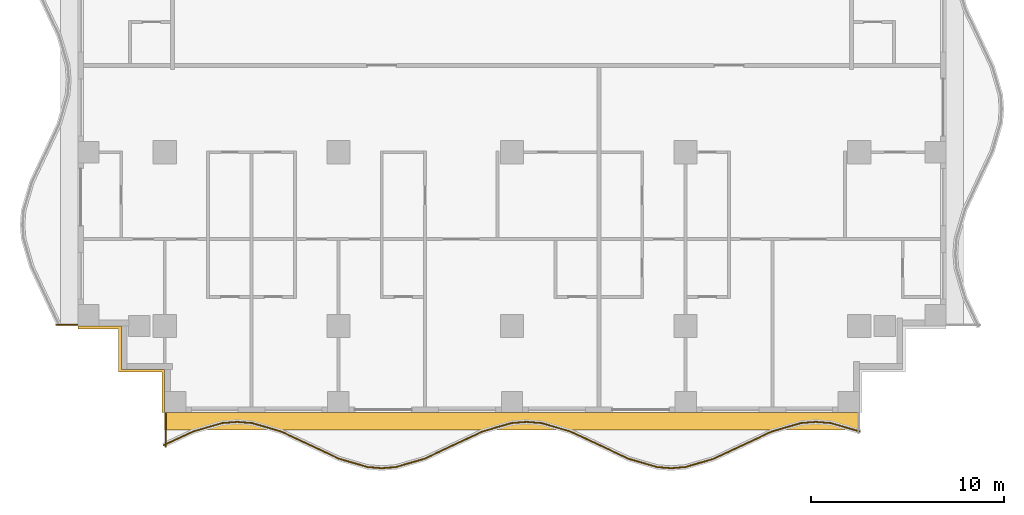
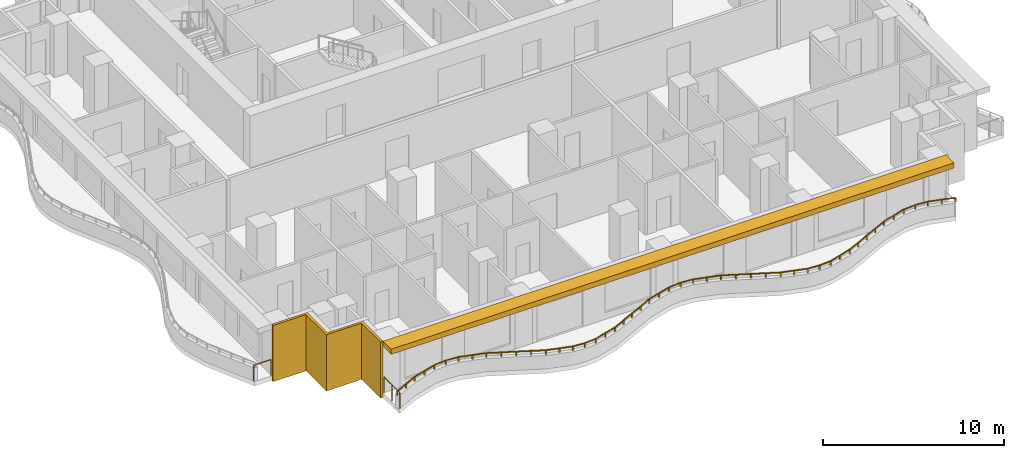
# One storey, part 7 of 10: 3 railings, 2 shading devices.
"""IFC4 building model written with IfcOpenShell, lengths in metres."""

from ifc_helpers import new_model, si_unit, direction, frame, origin, origin_2d, place, context, subcontext, project, spatial, polyline, rectangle, outline, extrude, material, layer, layer_set, type_object, element, save


model = new_model("IFC4")

# Units and contexts
model_context = context("Model", 3, precision=1e-05, world=origin(), true_north=direction((0.0, 1.0)))
body_context = subcontext(model_context, "Body", "Model", "MODEL_VIEW")
ifc_project = project(units=[si_unit("LENGTHUNIT", "METRE"), si_unit("AREAUNIT", "SQUARE_METRE"), si_unit("VOLUMEUNIT", "CUBIC_METRE"), si_unit("PLANEANGLEUNIT", "RADIAN"), si_unit("MASSUNIT", "GRAM", prefix="KILO")], contexts=[model_context])

# Site, building, storey
site_placement = place(None, origin())
site = spatial("IfcSite", under=ifc_project, at=site_placement, CompositionType="ELEMENT")
building_placement = place(site_placement, origin())
building = spatial("IfcBuilding", under=site, at=building_placement, Name="Orbiselva Terraces", CompositionType="ELEMENT")
storey_placement = place(building_placement, frame((0.0, 0.0, 159.2)))
storey = spatial("IfcBuildingStorey", under=building, at=storey_placement, Name="L40", CompositionType="ELEMENT", Elevation=159.2)

# Railings
ifc_material_1 = material(Name="Bonded two-ply safety glass balustrade, stainless steel posts", Category="steel")
railing_type_1 = type_object("IfcRailingType", Name="ENV-BALUSTRADE-1200", PredefinedType="BALUSTRADE", material=ifc_material_1)
railing_1_placement = place(storey_placement, frame((-18.053191, -19.686882, 0.9)))
element("IfcRailing", 1, at=railing_1_placement, inside=storey, type_object=railing_type_1, Name="Balcony balustrade L40 S", PredefinedType="BALUSTRADE", context=body_context, shape_type="SweptSolid", body=[
    extrude(outline(polyline([(0.028868, 0.0), (0.014434, 0.025), (-0.014434, 0.025), (-0.028868, 0.0), (-0.014434, -0.025), (0.014434, -0.025), (0.028868, 0.0)])), frame((0.0, 0.0, 0.275), z_axis=(0.904944157382, 0.425530342069, 0.0), x_axis=(-0.425530342069, 0.904944157382, 0.0)), (0.0, 0.0, 1.0), 1.667376),
    extrude(outline(polyline([(0.028868, 0.0), (0.014434, 0.025), (-0.014434, 0.025), (-0.028868, 0.0), (-0.014434, -0.025), (0.014434, -0.025), (0.028868, 0.0)])), frame((1.508882, 0.709519, 0.275), z_axis=(0.960270491427, 0.279070928786, 0.0), x_axis=(-0.279070928786, 0.960270491427, 0.0)), (0.0, 0.0, 1.0), 1.584712),
    extrude(outline(polyline([(0.028868, 0.0), (0.014434, 0.025), (-0.014434, 0.025), (-0.028868, 0.0), (-0.014434, -0.025), (0.014434, -0.025), (0.028868, 0.0)])), frame((3.030634, 1.151766, 0.275), z_axis=(0.996947796737, 0.078071061106, 0.0), x_axis=(-0.078071061106, 0.996947796737, 0.0)), (0.0, 0.0, 1.0), 0.774922),
    extrude(outline(polyline([(0.028868, 0.0), (0.014434, 0.025), (-0.014434, 0.025), (-0.028868, 0.0), (-0.014434, -0.025), (0.014434, -0.025), (0.028868, 0.0)])), frame((3.803191, 1.212265, 0.275), z_axis=(0.996947796737, -0.078071061106, 0.0), x_axis=(0.078071061106, 0.996947796737, 0.0)), (0.0, 0.0, 1.0), 0.774922),
    extrude(outline(polyline([(0.028868, 0.0), (0.014434, 0.025), (-0.014434, 0.025), (-0.028868, 0.0), (-0.014434, -0.025), (0.014434, -0.025), (0.028868, 0.0)])), frame((4.575748, 1.151766, 0.275), z_axis=(0.960270491427, -0.279070928786, 0.0), x_axis=(0.279070928786, 0.960270491427, 0.0)), (0.0, 0.0, 1.0), 1.584712),
    extrude(outline(polyline([(0.028868, 0.0), (0.014434, 0.025), (-0.014434, 0.025), (-0.028868, 0.0), (-0.014434, -0.025), (0.014434, -0.025), (0.028868, 0.0)])), frame((6.0975, 0.709519, 0.275), z_axis=(0.904944157382, -0.425530342069, 0.0), x_axis=(0.425530342069, 0.904944157382, 0.0)), (0.0, 0.0, 1.0), 1.667376),
    extrude(outline(polyline([(0.028868, 0.0), (0.014434, 0.025), (-0.014434, 0.025), (-0.028868, 0.0), (-0.014434, -0.025), (0.014434, -0.025), (0.028868, 0.0)])), frame((7.606382, 0.0, 0.275), z_axis=(0.904944359461, -0.425529912322, 0.0), x_axis=(0.425529912322, 0.904944359461, 0.0)), (0.0, 0.0, 1.0), 1.647746),
    extrude(outline(polyline([(0.028868, 0.0), (0.014434, 0.025), (-0.014434, 0.025), (-0.028868, 0.0), (-0.014434, -0.025), (0.014434, -0.025), (0.028868, 0.0)])), frame((9.0975, -0.701165, 0.275), z_axis=(0.960270317007, -0.279071528957, 0.0), x_axis=(0.279071528957, 0.960270317007, 0.0)), (0.0, 0.0, 1.0), 1.539408),
    extrude(outline(polyline([(0.028868, 0.0), (0.014434, 0.025), (-0.014434, 0.025), (-0.028868, 0.0), (-0.014434, -0.025), (0.014434, -0.025), (0.028868, 0.0)])), frame((10.575748, -1.13077, 0.275), z_axis=(0.996947916106, -0.078069536776, 0.0), x_axis=(0.078069536776, 0.996947916106, 0.0)), (0.0, 0.0, 1.0), 0.72967),
    extrude(outline(polyline([(0.028868, 0.0), (0.014434, 0.025), (-0.014434, 0.025), (-0.028868, 0.0), (-0.014434, -0.025), (0.014434, -0.025), (0.028868, 0.0)])), frame((11.303191, -1.187735, 0.275), z_axis=(0.996947916106, 0.078069536776, 0.0), x_axis=(-0.078069536776, 0.996947916106, 0.0)), (0.0, 0.0, 1.0), 0.72967),
    extrude(outline(polyline([(0.028868, 0.0), (0.014434, 0.025), (-0.014434, 0.025), (-0.028868, 0.0), (-0.014434, -0.025), (0.014434, -0.025), (0.028868, 0.0)])), frame((12.030634, -1.13077, 0.275), z_axis=(0.960270317007, 0.279071528957, 0.0), x_axis=(-0.279071528957, 0.960270317007, 0.0)), (0.0, 0.0, 1.0), 1.539408),
    extrude(outline(polyline([(0.028868, 0.0), (0.014434, 0.025), (-0.014434, 0.025), (-0.028868, 0.0), (-0.014434, -0.025), (0.014434, -0.025), (0.028868, 0.0)])), frame((13.508882, -0.701165, 0.275), z_axis=(0.904944359461, 0.425529912322, 0.0), x_axis=(-0.425529912322, 0.904944359461, 0.0)), (0.0, 0.0, 1.0), 1.647746),
    extrude(outline(polyline([(0.028868, 0.0), (0.014434, 0.025), (-0.014434, 0.025), (-0.028868, 0.0), (-0.014434, -0.025), (0.014434, -0.025), (0.028868, 0.0)])), frame((15.0, 0.0, 0.275), z_axis=(0.904944157382, 0.425530342069, 0.0), x_axis=(-0.425530342069, 0.904944157382, 0.0)), (0.0, 0.0, 1.0), 1.667376),
    extrude(outline(polyline([(0.028868, 0.0), (0.014434, 0.025), (-0.014434, 0.025), (-0.028868, 0.0), (-0.014434, -0.025), (0.014434, -0.025), (0.028868, 0.0)])), frame((16.508882, 0.709519, 0.275), z_axis=(0.960270491427, 0.279070928786, 0.0), x_axis=(-0.279070928786, 0.960270491427, 0.0)), (0.0, 0.0, 1.0), 1.584712),
    extrude(outline(polyline([(0.028868, 0.0), (0.014434, 0.025), (-0.014434, 0.025), (-0.028868, 0.0), (-0.014434, -0.025), (0.014434, -0.025), (0.028868, 0.0)])), frame((18.030634, 1.151766, 0.275), z_axis=(0.996947796737, 0.078071061106, 0.0), x_axis=(-0.078071061106, 0.996947796737, 0.0)), (0.0, 0.0, 1.0), 0.774922),
    extrude(outline(polyline([(0.028868, 0.0), (0.014434, 0.025), (-0.014434, 0.025), (-0.028868, 0.0), (-0.014434, -0.025), (0.014434, -0.025), (0.028868, 0.0)])), frame((18.803191, 1.212265, 0.275), z_axis=(0.996947796737, -0.078071061106, 0.0), x_axis=(0.078071061106, 0.996947796737, 0.0)), (0.0, 0.0, 1.0), 0.774922),
    extrude(outline(polyline([(0.028868, 0.0), (0.014434, 0.025), (-0.014434, 0.025), (-0.028868, 0.0), (-0.014434, -0.025), (0.014434, -0.025), (0.028868, 0.0)])), frame((19.575748, 1.151766, 0.275), z_axis=(0.960270491427, -0.279070928786, 0.0), x_axis=(0.279070928786, 0.960270491427, 0.0)), (0.0, 0.0, 1.0), 1.584712),
    extrude(outline(polyline([(0.028868, 0.0), (0.014434, 0.025), (-0.014434, 0.025), (-0.028868, 0.0), (-0.014434, -0.025), (0.014434, -0.025), (0.028868, 0.0)])), frame((21.0975, 0.709519, 0.275), z_axis=(0.904944157382, -0.425530342069, 0.0), x_axis=(0.425530342069, 0.904944157382, 0.0)), (0.0, 0.0, 1.0), 1.667376),
    extrude(outline(polyline([(0.028868, 0.0), (0.014434, 0.025), (-0.014434, 0.025), (-0.028868, 0.0), (-0.014434, -0.025), (0.014434, -0.025), (0.028868, 0.0)])), frame((22.606382, 0.0, 0.275), z_axis=(0.904944359461, -0.425529912322, 0.0), x_axis=(0.425529912322, 0.904944359461, 0.0)), (0.0, 0.0, 1.0), 1.647746),
    extrude(outline(polyline([(0.028868, 0.0), (0.014434, 0.025), (-0.014434, 0.025), (-0.028868, 0.0), (-0.014434, -0.025), (0.014434, -0.025), (0.028868, 0.0)])), frame((24.0975, -0.701165, 0.275), z_axis=(0.960270317007, -0.279071528957, 0.0), x_axis=(0.279071528957, 0.960270317007, 0.0)), (0.0, 0.0, 1.0), 1.539408),
    extrude(outline(polyline([(0.028868, 0.0), (0.014434, 0.025), (-0.014434, 0.025), (-0.028868, 0.0), (-0.014434, -0.025), (0.014434, -0.025), (0.028868, 0.0)])), frame((25.575748, -1.13077, 0.275), z_axis=(0.996947916106, -0.078069536776, 0.0), x_axis=(0.078069536776, 0.996947916106, 0.0)), (0.0, 0.0, 1.0), 0.72967),
    extrude(outline(polyline([(0.028868, 0.0), (0.014434, 0.025), (-0.014434, 0.025), (-0.028868, 0.0), (-0.014434, -0.025), (0.014434, -0.025), (0.028868, 0.0)])), frame((26.303191, -1.187735, 0.275), z_axis=(0.996947916106, 0.078069536776, 0.0), x_axis=(-0.078069536776, 0.996947916106, 0.0)), (0.0, 0.0, 1.0), 0.72967),
    extrude(outline(polyline([(0.028868, 0.0), (0.014434, 0.025), (-0.014434, 0.025), (-0.028868, 0.0), (-0.014434, -0.025), (0.014434, -0.025), (0.028868, 0.0)])), frame((27.030634, -1.13077, 0.275), z_axis=(0.960270317007, 0.279071528957, 0.0), x_axis=(-0.279071528957, 0.960270317007, 0.0)), (0.0, 0.0, 1.0), 1.539408),
    extrude(outline(polyline([(0.028868, 0.0), (0.014434, 0.025), (-0.014434, 0.025), (-0.028868, 0.0), (-0.014434, -0.025), (0.014434, -0.025), (0.028868, 0.0)])), frame((28.508882, -0.701165, 0.275), z_axis=(0.904944359461, 0.425529912322, 0.0), x_axis=(-0.425529912322, 0.904944359461, 0.0)), (0.0, 0.0, 1.0), 1.647746),
    extrude(outline(polyline([(0.028868, 0.0), (0.014434, 0.025), (-0.014434, 0.025), (-0.028868, 0.0), (-0.014434, -0.025), (0.014434, -0.025), (0.028868, 0.0)])), frame((30.0, 0.0, 0.275), z_axis=(0.904944157382, 0.425530342069, 0.0), x_axis=(-0.425530342069, 0.904944157382, 0.0)), (0.0, 0.0, 1.0), 1.667376),
    extrude(outline(polyline([(0.028868, 0.0), (0.014434, 0.025), (-0.014434, 0.025), (-0.028868, 0.0), (-0.014434, -0.025), (0.014434, -0.025), (0.028868, 0.0)])), frame((31.508882, 0.709519, 0.275), z_axis=(0.960270491427, 0.279070928786, 0.0), x_axis=(-0.279070928786, 0.960270491427, 0.0)), (0.0, 0.0, 1.0), 1.584712),
    extrude(outline(polyline([(0.028868, 0.0), (0.014434, 0.025), (-0.014434, 0.025), (-0.028868, 0.0), (-0.014434, -0.025), (0.014434, -0.025), (0.028868, 0.0)])), frame((33.030634, 1.151766, 0.275), z_axis=(0.996947796737, 0.078071061106, 0.0), x_axis=(-0.078071061106, 0.996947796737, 0.0)), (0.0, 0.0, 1.0), 0.774922),
    extrude(outline(polyline([(0.028868, 0.0), (0.014434, 0.025), (-0.014434, 0.025), (-0.028868, 0.0), (-0.014434, -0.025), (0.014434, -0.025), (0.028868, 0.0)])), frame((33.803191, 1.212265, 0.275), z_axis=(0.996947796737, -0.078071061106, 0.0), x_axis=(0.078071061106, 0.996947796737, 0.0)), (0.0, 0.0, 1.0), 0.774922),
    extrude(outline(polyline([(0.028868, 0.0), (0.014434, 0.025), (-0.014434, 0.025), (-0.028868, 0.0), (-0.014434, -0.025), (0.014434, -0.025), (0.028868, 0.0)])), frame((34.575748, 1.151766, 0.275), z_axis=(0.96027048033, -0.279070966973, 0.0), x_axis=(0.279070966973, 0.96027048033, 0.0)), (0.0, 0.0, 1.0), 1.574897),
    extrude(rectangle(XDim=0.05, YDim=0.05, at=origin_2d()), origin(), (0.0, 0.0, 1.0), 0.25),
    extrude(rectangle(XDim=0.05, YDim=0.05, at=origin_2d()), frame((0.754441, 0.35476, 0.0)), (0.0, 0.0, 1.0), 0.25),
    extrude(rectangle(XDim=0.05, YDim=0.05, at=origin_2d()), frame((1.508882, 0.709519, 0.0)), (0.0, 0.0, 1.0), 0.25),
    extrude(rectangle(XDim=0.05, YDim=0.05, at=origin_2d()), frame((2.269758, 0.930643, 0.0)), (0.0, 0.0, 1.0), 0.25),
    extrude(rectangle(XDim=0.05, YDim=0.05, at=origin_2d()), frame((3.030634, 1.151766, 0.0)), (0.0, 0.0, 1.0), 0.25),
    extrude(rectangle(XDim=0.05, YDim=0.05, at=origin_2d()), frame((3.803191, 1.212265, 0.0)), (0.0, 0.0, 1.0), 0.25),
    extrude(rectangle(XDim=0.05, YDim=0.05, at=origin_2d()), frame((4.575748, 1.151766, 0.0)), (0.0, 0.0, 1.0), 0.25),
    extrude(rectangle(XDim=0.05, YDim=0.05, at=origin_2d()), frame((5.336624, 0.930643, 0.0)), (0.0, 0.0, 1.0), 0.25),
    extrude(rectangle(XDim=0.05, YDim=0.05, at=origin_2d()), frame((6.0975, 0.709519, 0.0)), (0.0, 0.0, 1.0), 0.25),
    extrude(rectangle(XDim=0.05, YDim=0.05, at=origin_2d()), frame((6.851941, 0.35476, 0.0)), (0.0, 0.0, 1.0), 0.25),
    extrude(rectangle(XDim=0.05, YDim=0.05, at=origin_2d()), frame((7.606382, 0.0, 0.0)), (0.0, 0.0, 1.0), 0.25),
    extrude(rectangle(XDim=0.05, YDim=0.05, at=origin_2d()), frame((8.351941, -0.350582, 0.0)), (0.0, 0.0, 1.0), 0.25),
    extrude(rectangle(XDim=0.05, YDim=0.05, at=origin_2d()), frame((9.0975, -0.701165, 0.0)), (0.0, 0.0, 1.0), 0.25),
    extrude(rectangle(XDim=0.05, YDim=0.05, at=origin_2d()), frame((9.836624, -0.915967, 0.0)), (0.0, 0.0, 1.0), 0.25),
    extrude(rectangle(XDim=0.05, YDim=0.05, at=origin_2d()), frame((10.575748, -1.13077, 0.0)), (0.0, 0.0, 1.0), 0.25),
    extrude(rectangle(XDim=0.05, YDim=0.05, at=origin_2d()), frame((11.303191, -1.187735, 0.0)), (0.0, 0.0, 1.0), 0.25),
    extrude(rectangle(XDim=0.05, YDim=0.05, at=origin_2d()), frame((12.030634, -1.13077, 0.0)), (0.0, 0.0, 1.0), 0.25),
    extrude(rectangle(XDim=0.05, YDim=0.05, at=origin_2d()), frame((12.769758, -0.915967, 0.0)), (0.0, 0.0, 1.0), 0.25),
    extrude(rectangle(XDim=0.05, YDim=0.05, at=origin_2d()), frame((13.508882, -0.701165, 0.0)), (0.0, 0.0, 1.0), 0.25),
    extrude(rectangle(XDim=0.05, YDim=0.05, at=origin_2d()), frame((14.254441, -0.350582, 0.0)), (0.0, 0.0, 1.0), 0.25),
    extrude(rectangle(XDim=0.05, YDim=0.05, at=origin_2d()), frame((15.0, 0.0, 0.0)), (0.0, 0.0, 1.0), 0.25),
    extrude(rectangle(XDim=0.05, YDim=0.05, at=origin_2d()), frame((15.754441, 0.35476, 0.0)), (0.0, 0.0, 1.0), 0.25),
    extrude(rectangle(XDim=0.05, YDim=0.05, at=origin_2d()), frame((16.508882, 0.709519, 0.0)), (0.0, 0.0, 1.0), 0.25),
    extrude(rectangle(XDim=0.05, YDim=0.05, at=origin_2d()), frame((17.269758, 0.930643, 0.0)), (0.0, 0.0, 1.0), 0.25),
    extrude(rectangle(XDim=0.05, YDim=0.05, at=origin_2d()), frame((18.030634, 1.151766, 0.0)), (0.0, 0.0, 1.0), 0.25),
    extrude(rectangle(XDim=0.05, YDim=0.05, at=origin_2d()), frame((18.803191, 1.212265, 0.0)), (0.0, 0.0, 1.0), 0.25),
    extrude(rectangle(XDim=0.05, YDim=0.05, at=origin_2d()), frame((19.575748, 1.151766, 0.0)), (0.0, 0.0, 1.0), 0.25),
    extrude(rectangle(XDim=0.05, YDim=0.05, at=origin_2d()), frame((20.336624, 0.930643, 0.0)), (0.0, 0.0, 1.0), 0.25),
    extrude(rectangle(XDim=0.05, YDim=0.05, at=origin_2d()), frame((21.0975, 0.709519, 0.0)), (0.0, 0.0, 1.0), 0.25),
    extrude(rectangle(XDim=0.05, YDim=0.05, at=origin_2d()), frame((21.851941, 0.35476, 0.0)), (0.0, 0.0, 1.0), 0.25),
    extrude(rectangle(XDim=0.05, YDim=0.05, at=origin_2d()), frame((22.606382, 0.0, 0.0)), (0.0, 0.0, 1.0), 0.25),
    extrude(rectangle(XDim=0.05, YDim=0.05, at=origin_2d()), frame((23.351941, -0.350582, 0.0)), (0.0, 0.0, 1.0), 0.25),
    extrude(rectangle(XDim=0.05, YDim=0.05, at=origin_2d()), frame((24.0975, -0.701165, 0.0)), (0.0, 0.0, 1.0), 0.25),
    extrude(rectangle(XDim=0.05, YDim=0.05, at=origin_2d()), frame((24.836624, -0.915967, 0.0)), (0.0, 0.0, 1.0), 0.25),
    extrude(rectangle(XDim=0.05, YDim=0.05, at=origin_2d()), frame((25.575748, -1.13077, 0.0)), (0.0, 0.0, 1.0), 0.25),
    extrude(rectangle(XDim=0.05, YDim=0.05, at=origin_2d()), frame((26.303191, -1.187735, 0.0)), (0.0, 0.0, 1.0), 0.25),
    extrude(rectangle(XDim=0.05, YDim=0.05, at=origin_2d()), frame((27.030634, -1.13077, 0.0)), (0.0, 0.0, 1.0), 0.25),
    extrude(rectangle(XDim=0.05, YDim=0.05, at=origin_2d()), frame((27.769758, -0.915967, 0.0)), (0.0, 0.0, 1.0), 0.25),
    extrude(rectangle(XDim=0.05, YDim=0.05, at=origin_2d()), frame((28.508882, -0.701165, 0.0)), (0.0, 0.0, 1.0), 0.25),
    extrude(rectangle(XDim=0.05, YDim=0.05, at=origin_2d()), frame((29.254441, -0.350582, 0.0)), (0.0, 0.0, 1.0), 0.25),
    extrude(rectangle(XDim=0.05, YDim=0.05, at=origin_2d()), frame((30.0, 0.0, 0.0)), (0.0, 0.0, 1.0), 0.25),
    extrude(rectangle(XDim=0.05, YDim=0.05, at=origin_2d()), frame((30.754441, 0.35476, 0.0)), (0.0, 0.0, 1.0), 0.25),
    extrude(rectangle(XDim=0.05, YDim=0.05, at=origin_2d()), frame((31.508882, 0.709519, 0.0)), (0.0, 0.0, 1.0), 0.25),
    extrude(rectangle(XDim=0.05, YDim=0.05, at=origin_2d()), frame((32.269758, 0.930643, 0.0)), (0.0, 0.0, 1.0), 0.25),
    extrude(rectangle(XDim=0.05, YDim=0.05, at=origin_2d()), frame((33.030634, 1.151766, 0.0)), (0.0, 0.0, 1.0), 0.25),
    extrude(rectangle(XDim=0.05, YDim=0.05, at=origin_2d()), frame((33.803191, 1.212265, 0.0)), (0.0, 0.0, 1.0), 0.25),
    extrude(rectangle(XDim=0.05, YDim=0.05, at=origin_2d()), frame((34.575748, 1.151766, 0.0)), (0.0, 0.0, 1.0), 0.25),
    extrude(rectangle(XDim=0.05, YDim=0.05, at=origin_2d()), frame((35.331912, 0.932012, 0.0)), (0.0, 0.0, 1.0), 0.25),
    extrude(rectangle(XDim=0.05, YDim=0.05, at=origin_2d()), frame((36.088075, 0.712258, 0.0)), (0.0, 0.0, 1.0), 0.25),
])
ifc_material_2 = material(Name="Stainless steel rail and posts", Category="steel")
railing_type_2 = type_object("IfcRailingType", Name="ENV-GUARD-1105", PredefinedType="BALUSTRADE", material=ifc_material_2)
railing_2_placement = place(storey_placement, frame((-17.94, -19.769844, 0.0)))
element("IfcRailing", 2, at=railing_2_placement, inside=storey, type_object=railing_type_2, Name="Balcony end guard L40 S", PredefinedType="BALUSTRADE", context=body_context, shape_type="SweptSolid", body=[
    extrude(outline(polyline([(0.028868, 0.0), (0.014434, 0.025), (-0.014434, 0.025), (-0.028868, 0.0), (-0.014434, -0.025), (0.014434, -0.025), (0.028868, 0.0)])), frame((0.0, 0.0, 1.08), z_axis=(0.0, 1.0, 0.0), x_axis=(-1.0, 0.0, 0.0)), (0.0, 0.0, 1.0), 1.744844),
    extrude(rectangle(XDim=0.05, YDim=0.05, at=origin_2d()), origin(), (0.0, 0.0, 1.0), 1.055),
    extrude(rectangle(XDim=0.05, YDim=0.05, at=origin_2d()), frame((0.0, 0.872422, 0.0)), (0.0, 0.0, 1.0), 1.055),
    extrude(rectangle(XDim=0.05, YDim=0.05, at=origin_2d()), frame((0.0, 1.744844, 0.0)), (0.0, 0.0, 1.0), 1.055),
])
railing_3_placement = place(storey_placement, frame((-23.619277, -13.44, 0.0)))
element("IfcRailing", 3, at=railing_3_placement, inside=storey, type_object=railing_type_2, Name="Balcony end guard L40 W", PredefinedType="BALUSTRADE", context=body_context, shape_type="SweptSolid", body=[
    extrude(outline(polyline([(0.028868, 0.0), (0.014434, 0.025), (-0.014434, 0.025), (-0.028868, 0.0), (-0.014434, -0.025), (0.014434, -0.025), (0.028868, 0.0)])), frame((0.0, 0.0, 1.08), z_axis=(1.0, 0.0, 0.0), x_axis=(0.0, 1.0, 0.0)), (0.0, 0.0, 1.0), 1.094277),
    extrude(rectangle(XDim=0.05, YDim=0.05, at=origin_2d()), origin(), (0.0, 0.0, 1.0), 1.055),
    extrude(rectangle(XDim=0.05, YDim=0.05, at=origin_2d()), frame((1.094277, 0.0, 0.0)), (0.0, 0.0, 1.0), 1.055),
])

# Shading devices
ifc_material_3 = material(Name="Terracotta louvre screen", Category="masonry")
ifc_layer_1 = layer(ifc_material_3, 0.15)
ifc_layer_set_1 = layer_set([ifc_layer_1], Name="Terracotta louvre screen")
shading_device_type_1 = type_object("IfcShadingDeviceType", Name="ENV-SCREEN-150", PredefinedType="USERDEFINED", material=ifc_layer_set_1)
shading_device_1_placement = place(storey_placement, frame((0.0, 0.0, -0.3)))
element("IfcShadingDevice", 4, at=shading_device_1_placement, inside=storey, type_object=shading_device_type_1, Name="Louvre screen L40 SW", ObjectType="SCREEN", PredefinedType="USERDEFINED", context=body_context, shape_type="SweptSolid", body=[
    extrude(outline(polyline([(-22.5, -13.65), (-20.4, -13.65), (-20.4, -15.9), (-18.15, -15.9), (-18.15, -18.0), (-18.0, -18.0), (-18.0, -15.75), (-20.25, -15.75), (-20.25, -13.5), (-22.5, -13.5), (-22.5, -13.65)])), origin(), (0.0, 0.0, 1.0), 3.8),
])
ifc_material_4 = material(Name="Terracotta baguette sunshade", Category="masonry")
ifc_layer_2 = layer(ifc_material_4, 0.35)
ifc_layer_set_2 = layer_set([ifc_layer_2], Name="Terracotta baguette sunshade")
shading_device_type_2 = type_object("IfcShadingDeviceType", Name="ENV-SUNSHADE-900x350", PredefinedType="USERDEFINED", material=ifc_layer_set_2)
shading_device_2_placement = place(storey_placement, frame((0.0, 0.0, 3.15)))
element("IfcShadingDevice", 5, at=shading_device_2_placement, inside=storey, type_object=shading_device_type_2, Name="Sunshade band L40 S", ObjectType="SUNSHADE", PredefinedType="USERDEFINED", context=body_context, shape_type="SweptSolid", body=[
    extrude(outline(polyline([(-18.0, -18.9), (18.0, -18.9), (18.0, -18.0), (-18.0, -18.0), (-18.0, -18.9)])), origin(), (0.0, 0.0, 1.0), 0.35),
])

save(model, "model.ifc")
